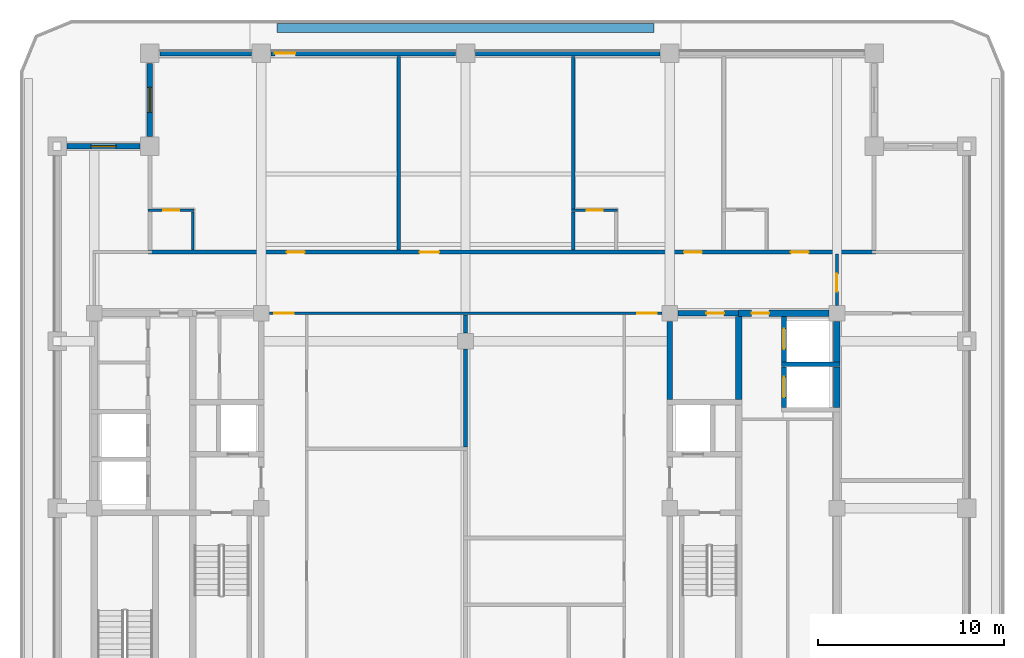
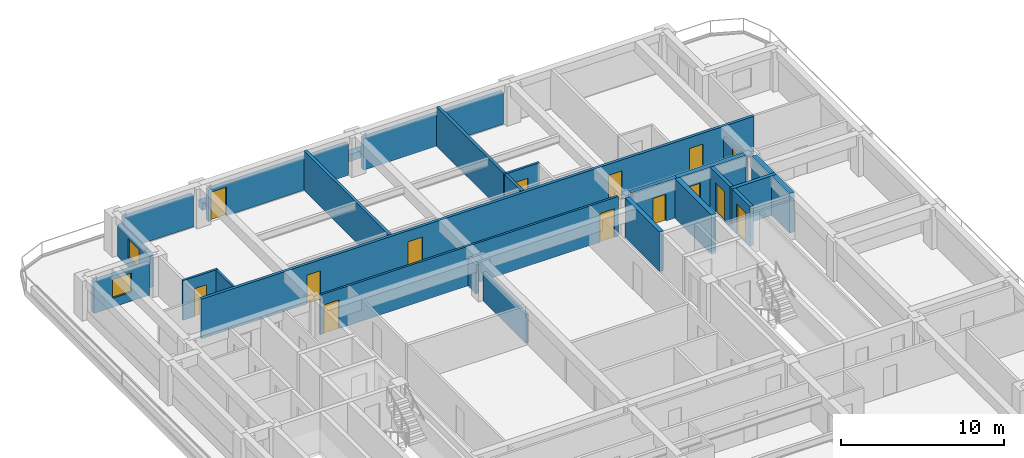
# One storey, part 5 of 13: 26 walls, 14 doors, 2 windows, 16 openings.
"""IFC4 building model written with IfcOpenShell, lengths in metres."""

from ifc_helpers import new_model, si_unit, direction, frame, frame_2d, origin, place, context, subcontext, project, spatial, rectangle, extrude, material, layer, layer_set, type_object, element, fill, save


model = new_model("IFC4")

# Units and contexts
model_context = context("Model", 3, precision=1e-05, world=origin(), true_north=direction((0.0, 1.0)))
body_context = subcontext(model_context, "Body", "Model", "MODEL_VIEW")
ifc_project = project(units=[si_unit("LENGTHUNIT", "METRE"), si_unit("AREAUNIT", "SQUARE_METRE"), si_unit("VOLUMEUNIT", "CUBIC_METRE"), si_unit("PLANEANGLEUNIT", "RADIAN"), si_unit("MASSUNIT", "GRAM", prefix="KILO")], contexts=[model_context])

# Site, building, storey
site_placement = place(None, origin())
site = spatial("IfcSite", under=ifc_project, at=site_placement, CompositionType="ELEMENT")
building_placement = place(site_placement, origin())
building = spatial("IfcBuilding", under=site, at=building_placement, Name="Zulmaris Gate Convention Tower", CompositionType="ELEMENT")
storey_placement = place(building_placement, frame((0.0, 0.0, 183.059814453125)))
storey = spatial("IfcBuildingStorey", under=building, at=storey_placement, Name="L47", CompositionType="ELEMENT", Elevation=183.059814453125)

# Wall
ifc_material_1 = material(Name="Concrete C50/60", Category="concrete")
ifc_layer_1 = layer(ifc_material_1, 0.25, Name="Concrete C50/60")
ifc_layer_set_1 = layer_set([ifc_layer_1], Name="Concrete C50/60")
wall_type_1 = type_object("IfcWallType", Name="CORE-250", PredefinedType="SOLIDWALL", material=ifc_layer_set_1)
wall_1_placement = place(storey_placement, frame((17.02490234375, 7.75, 0.0), z_axis=(0.0, 0.0, 1.0), x_axis=(1.0, 0.0, 0.0)))
element("IfcWall", 1, at=wall_1_placement, inside=storey, type_object=wall_type_1, Name="WL-L47-014", PredefinedType="SOLIDWALL", context=body_context, shape_type="SweptSolid", body=[
    extrude(rectangle(XDim=3.150146484375, YDim=0.25, at=frame_2d((1.5751953125, 0.0))), origin(), (0.0, 0.0, 1.0), 2.97509765625),
])

# Wall, opening, door
wall_2_placement = place(storey_placement, frame((17.14990234375, 5.427001953125, 0.0), z_axis=(0.0, 0.0, 1.0), x_axis=(0.0, 1.0, 0.0)))
wall_2 = element("IfcWall", 2, at=wall_2_placement, inside=storey, type_object=wall_type_1, Name="WL-L47-069", PredefinedType="SOLIDWALL", context=body_context, shape_type="SweptSolid", body=[
    extrude(rectangle(XDim=2.196044921875, YDim=0.25, at=frame_2d((1.09814453125, 0.0))), origin(), (0.0, 0.0, 1.0), 2.97509765625),
])
opening_1_placement = place(wall_2_placement, frame((0.548095703125, 0.0, 0.0)))
opening_1 = element("IfcOpeningElement", 3, at=opening_1_placement, cuts=wall_2, Name="Opening D-06", PredefinedType="OPENING", context=body_context, shape_type="SweptSolid", body=[
    extrude(rectangle(XDim=1.10009765625, YDim=2.199951171875, at=frame_2d((0.550048828125, 1.10009765625))), frame((0.0, 0.135009765625, 0.0), z_axis=(0.0, -1.0, 0.0), x_axis=(1.0, 0.0, 0.0)), (0.0, 0.0, 1.0), 0.27001953125),
])
ifc_material_2 = material(Name="Brushed Stainless Steel", Category="steel")
door_type_1 = type_object("IfcDoorType", Name="LD-1100", OperationType="NOTDEFINED", PredefinedType="DOOR", material=ifc_material_2)
door_1_placement = place(opening_1_placement, origin())
door_1 = element("IfcDoor", 4, at=door_1_placement, inside=storey, type_object=door_type_1, Name="L47 Lift Landing Door HP-01 16", OperationType="SLIDING_TO_RIGHT", OverallHeight=2.199951171875, OverallWidth=1.10009765625, PredefinedType="DOOR", context=body_context, shape_type="SweptSolid", body=[
    extrude(rectangle(XDim=1.10009765625, YDim=2.199951171875, at=frame_2d((0.550048828125, 1.10009765625))), frame((0.0, 0.02490234375, 0.0), z_axis=(0.0, -1.0, 0.0), x_axis=(1.0, 0.0, 0.0)), (0.0, 0.0, 1.0), 0.050048828125),
])
fill(opening_1, door_1)

wall_3_placement = place(storey_placement, frame((17.14990234375, 7.876953125, 0.0), z_axis=(0.0, 0.0, 1.0), x_axis=(0.0, 1.0, 0.0)))
wall_3 = element("IfcWall", 5, at=wall_3_placement, inside=storey, type_object=wall_type_1, Name="WL-L47-070", PredefinedType="SOLIDWALL", context=body_context, shape_type="SweptSolid", body=[
    extrude(rectangle(XDim=2.446044921875, YDim=0.25, at=frame_2d((1.22314453125, 0.0))), origin(), (0.0, 0.0, 1.0), 2.97509765625),
])
opening_2_placement = place(wall_3_placement, frame((0.697998046875, 0.0, 0.0)))
opening_2 = element("IfcOpeningElement", 6, at=opening_2_placement, cuts=wall_3, Name="Opening D-06", PredefinedType="OPENING", context=body_context, shape_type="SweptSolid", body=[
    extrude(rectangle(XDim=1.10009765625, YDim=2.199951171875, at=frame_2d((0.550048828125, 1.10009765625))), frame((0.0, 0.135009765625, 0.0), z_axis=(0.0, -1.0, 0.0), x_axis=(1.0, 0.0, 0.0)), (0.0, 0.0, 1.0), 0.27001953125),
])
door_2_placement = place(opening_2_placement, origin())
door_2 = element("IfcDoor", 7, at=door_2_placement, inside=storey, type_object=door_type_1, Name="L47 Lift Landing Door HP-02 17", OperationType="SLIDING_TO_RIGHT", OverallHeight=2.199951171875, OverallWidth=1.10009765625, PredefinedType="DOOR", context=body_context, shape_type="SweptSolid", body=[
    extrude(rectangle(XDim=1.10009765625, YDim=2.199951171875, at=frame_2d((0.550048828125, 1.10009765625))), frame((0.0, 0.02490234375, 0.0), z_axis=(0.0, -1.0, 0.0), x_axis=(1.0, 0.0, 0.0)), (0.0, 0.0, 1.0), 0.050048828125),
])
fill(opening_2, door_2)

ifc_layer_2 = layer(ifc_material_1, 0.300048828125, Name="Concrete C50/60")
ifc_layer_set_2 = layer_set([ifc_layer_2], Name="Concrete C50/60")
wall_type_2 = type_object("IfcWallType", Name="CORE-300", PredefinedType="SHEAR", material=ifc_layer_set_2)
wall_4_placement = place(storey_placement, frame((11.428955078125, 10.5, 0.0), z_axis=(0.0, 0.0, 1.0), x_axis=(1.0, 0.0, 0.0)))
wall_4 = element("IfcWall", 8, at=wall_4_placement, inside=storey, type_object=wall_type_2, Name="WL-L47-017", PredefinedType="SHEAR", context=body_context, shape_type="SweptSolid", body=[
    extrude(rectangle(XDim=3.27099609375, YDim=0.300048828125, at=frame_2d((1.635498046875, 0.0))), origin(), (0.0, 0.0, 1.0), 2.97509765625),
])
opening_3_placement = place(wall_4_placement, frame((1.5458984375, 0.0, 0.0)))
opening_3 = element("IfcOpeningElement", 9, at=opening_3_placement, cuts=wall_4, Name="Opening D-25", PredefinedType="OPENING", context=body_context, shape_type="SweptSolid", body=[
    extrude(rectangle(XDim=0.949951171875, YDim=2.02001953125, at=frame_2d((0.47509765625, 1.010009765625))), frame((0.0, 0.16015625, 0.0), z_axis=(0.0, -1.0, 0.0), x_axis=(1.0, 0.0, 0.0)), (0.0, 0.0, 1.0), 0.320068359375),
])
ifc_material_3 = material(Name="Fire-Rated Steel", Category="steel")
door_type_2 = type_object("IfcDoorType", Name="DR-950-LOW-FD", OperationType="NOTDEFINED", PredefinedType="DOOR", material=ifc_material_3)
door_3_placement = place(opening_3_placement, origin())
door_3 = element("IfcDoor", 10, at=door_3_placement, inside=storey, type_object=door_type_2, Name="L47 Core Tea Pantry Door 09", OperationType="SINGLE_SWING_RIGHT", OverallHeight=2.02001953125, OverallWidth=0.949951171875, PredefinedType="DOOR", context=body_context, shape_type="SweptSolid", body=[
    extrude(rectangle(XDim=0.949951171875, YDim=2.02001953125, at=frame_2d((0.47509765625, 1.010009765625))), frame((0.0, 0.02490234375, 0.0), z_axis=(0.0, -1.0, 0.0), x_axis=(1.0, 0.0, 0.0)), (0.0, 0.0, 1.0), 0.050048828125),
])
fill(opening_3, door_3)

# Wall
wall_5_placement = place(storey_placement, frame((11.0, 5.85205078125, 0.0), z_axis=(0.0, 0.0, 1.0), x_axis=(0.0, 1.0, 0.0)))
element("IfcWall", 11, at=wall_5_placement, inside=storey, type_object=wall_type_2, Name="WL-L47-062", PredefinedType="SHEAR", context=body_context, shape_type="SweptSolid", body=[
    extrude(rectangle(XDim=4.218994140625, YDim=0.300048828125, at=frame_2d((2.109375, 0.0))), origin(), (0.0, 0.0, 1.0), 2.97509765625),
])

# Wall, opening, door
ifc_material_4 = material(Name="Concrete C55/67", Category="concrete")
ifc_layer_3 = layer(ifc_material_4, 0.35009765625, Name="Concrete C55/67")
ifc_layer_set_3 = layer_set([ifc_layer_3], Name="Concrete C55/67")
wall_type_3 = type_object("IfcWallType", Name="CORE-350", PredefinedType="SHEAR", material=ifc_layer_set_3)
wall_6_placement = place(storey_placement, frame((14.699951171875, 10.5, 0.0), z_axis=(0.0, 0.0, 1.0), x_axis=(1.0, 0.0, 0.0)))
wall_6 = element("IfcWall", 12, at=wall_6_placement, inside=storey, type_object=wall_type_3, Name="WL-L47-018", PredefinedType="SHEAR", context=body_context, shape_type="SweptSolid", body=[
    extrude(rectangle(XDim=4.87109375, YDim=0.35009765625, at=frame_2d((2.435546875, 0.0))), origin(), (0.0, 0.0, 1.0), 2.97509765625),
])
opening_4_placement = place(wall_6_placement, frame((0.699951171875, 0.0, 0.0)))
opening_4 = element("IfcOpeningElement", 13, at=opening_4_placement, cuts=wall_6, Name="Opening D-25", PredefinedType="OPENING", context=body_context, shape_type="SweptSolid", body=[
    extrude(rectangle(XDim=0.949951171875, YDim=2.02001953125, at=frame_2d((0.47509765625, 1.010009765625))), frame((0.0, 0.18505859375, 0.0), z_axis=(0.0, -1.0, 0.0), x_axis=(1.0, 0.0, 0.0)), (0.0, 0.0, 1.0), 0.3701171875),
])
door_4_placement = place(opening_4_placement, origin())
door_4 = element("IfcDoor", 14, at=door_4_placement, inside=storey, type_object=door_type_2, Name="L47 High-Rise East Lift Lobby Door 18", OperationType="SINGLE_SWING_LEFT", OverallHeight=2.02001953125, OverallWidth=0.949951171875, PredefinedType="DOOR", context=body_context, shape_type="SweptSolid", body=[
    extrude(rectangle(XDim=0.949951171875, YDim=2.02001953125, at=frame_2d((0.47509765625, 1.010009765625))), frame((0.0, 0.02490234375, 0.0), z_axis=(0.0, -1.0, 0.0), x_axis=(1.0, 0.0, 0.0)), (0.0, 0.0, 1.0), 0.050048828125),
])
fill(opening_4, door_4)

# Walls
wall_7_placement = place(storey_placement, frame((14.699951171875, 5.85205078125, 0.0), z_axis=(0.0, 0.0, 1.0), x_axis=(0.0, 1.0, 0.0)))
element("IfcWall", 15, at=wall_7_placement, inside=storey, type_object=wall_type_3, Name="WL-L47-068", PredefinedType="SHEAR", context=body_context, shape_type="SweptSolid", body=[
    extrude(rectangle(XDim=4.470947265625, YDim=0.35009765625, at=frame_2d((2.2353515625, 0.0))), origin(), (0.0, 0.0, 1.0), 2.97509765625),
])
wall_8_placement = place(storey_placement, frame((20.0, 5.427001953125, 0.0), z_axis=(0.0, 0.0, 1.0), x_axis=(0.0, 1.0, 0.0)))
element("IfcWall", 16, at=wall_8_placement, inside=storey, type_object=wall_type_3, Name="WL-L47-072", PredefinedType="SHEAR", context=body_context, shape_type="SweptSolid", body=[
    extrude(rectangle(XDim=2.196044921875, YDim=0.35009765625, at=frame_2d((1.09814453125, 0.0))), origin(), (0.0, 0.0, 1.0), 2.97509765625),
])
wall_9_placement = place(storey_placement, frame((20.0, 7.876953125, 0.0), z_axis=(0.0, 0.0, 1.0), x_axis=(0.0, 1.0, 0.0)))
element("IfcWall", 17, at=wall_9_placement, inside=storey, type_object=wall_type_3, Name="WL-L47-073", PredefinedType="SHEAR", context=body_context, shape_type="SweptSolid", body=[
    extrude(rectangle(XDim=2.194091796875, YDim=0.35009765625, at=frame_2d((1.09716796875, 0.0))), origin(), (0.0, 0.0, 1.0), 2.97509765625),
])

# Wall, openings, doors
ifc_material_5 = material(Name="Gypsum Metal Stud Partition")
ifc_layer_4 = layer(ifc_material_5, 0.14990234375, Name="Gypsum Metal Stud Partition")
ifc_layer_set_4 = layer_set([ifc_layer_4], Name="Gypsum Metal Stud Partition")
wall_type_4 = type_object("IfcWallType", Name="PART-150", PredefinedType="PARTITIONING", material=ifc_layer_set_4)
wall_10_placement = place(storey_placement, frame((-10.569091796875, 10.5, 0.0), z_axis=(0.0, 0.0, 1.0), x_axis=(1.0, 0.0, 0.0)))
wall_10 = element("IfcWall", 18, at=wall_10_placement, inside=storey, type_object=wall_type_4, Name="WL-L47-034", PredefinedType="PARTITIONING", context=body_context, shape_type="SweptSolid", body=[
    extrude(rectangle(XDim=21.13818359375, YDim=0.14990234375, at=frame_2d((10.569091796875, 0.0))), origin(), (0.0, 0.0, 1.0), 2.97509765625),
])
opening_5_placement = place(wall_10_placement, frame((0.263916015625, 0.0, 0.0)))
opening_5 = element("IfcOpeningElement", 19, at=opening_5_placement, cuts=wall_10, Name="Opening D-09", PredefinedType="OPENING", context=body_context, shape_type="SweptSolid", body=[
    extrude(rectangle(XDim=1.050048828125, YDim=2.14990234375, at=frame_2d((0.52490234375, 1.074951171875))), frame((0.0, 0.0849609375, 0.0), z_axis=(0.0, -1.0, 0.0), x_axis=(1.0, 0.0, 0.0)), (0.0, 0.0, 1.0), 0.169921875),
])
opening_6_placement = place(wall_10_placement, frame((19.823974609375, 0.0, 0.0)))
opening_6 = element("IfcOpeningElement", 20, at=opening_6_placement, cuts=wall_10, Name="Opening D-09", PredefinedType="OPENING", context=body_context, shape_type="SweptSolid", body=[
    extrude(rectangle(XDim=1.050048828125, YDim=2.14990234375, at=frame_2d((0.52490234375, 1.074951171875))), frame((0.0, 0.0849609375, 0.0), z_axis=(0.0, -1.0, 0.0), x_axis=(1.0, 0.0, 0.0)), (0.0, 0.0, 1.0), 0.169921875),
])
door_type_3 = type_object("IfcDoorType", Name="DR-1050-FD", OperationType="NOTDEFINED", PredefinedType="DOOR", material=ifc_material_3)
door_5_placement = place(opening_5_placement, origin())
door_5 = element("IfcDoor", 21, at=door_5_placement, inside=storey, type_object=door_type_3, Name="L47 NW Hotel Loop Door 21", OperationType="SINGLE_SWING_RIGHT", OverallHeight=2.14990234375, OverallWidth=1.050048828125, PredefinedType="DOOR", context=body_context, shape_type="SweptSolid", body=[
    extrude(rectangle(XDim=1.050048828125, YDim=2.14990234375, at=frame_2d((0.52490234375, 1.074951171875))), frame((0.0, 0.02490234375, 0.0), z_axis=(0.0, -1.0, 0.0), x_axis=(1.0, 0.0, 0.0)), (0.0, 0.0, 1.0), 0.050048828125),
])
fill(opening_5, door_5)
door_6_placement = place(opening_6_placement, origin())
door_6 = element("IfcDoor", 22, at=door_6_placement, inside=storey, type_object=door_type_3, Name="L47 NE Hotel Loop Door 23", OperationType="SINGLE_SWING_RIGHT", OverallHeight=2.14990234375, OverallWidth=1.050048828125, PredefinedType="DOOR", context=body_context, shape_type="SweptSolid", body=[
    extrude(rectangle(XDim=1.050048828125, YDim=2.14990234375, at=frame_2d((0.52490234375, 1.074951171875))), frame((0.0, 0.02490234375, 0.0), z_axis=(0.0, -1.0, 0.0), x_axis=(1.0, 0.0, 0.0)), (0.0, 0.0, 1.0), 0.050048828125),
])
fill(opening_6, door_6)

# Wall, opening, door
wall_11_placement = place(storey_placement, frame((-17.10009765625, 16.050048828125, 0.0), z_axis=(0.0, 0.0, 1.0), x_axis=(1.0, 0.0, 0.0)))
wall_11 = element("IfcWall", 23, at=wall_11_placement, inside=storey, type_object=wall_type_4, Name="WL-L47-039", PredefinedType="PARTITIONING", context=body_context, shape_type="SweptSolid", body=[
    extrude(rectangle(XDim=2.47509765625, YDim=0.14990234375, at=frame_2d((1.237548828125, 0.0))), origin(), (0.0, 0.0, 1.0), 2.97509765625),
])
opening_7_placement = place(wall_11_placement, frame((0.824951171875, 0.0, 0.0)))
opening_7 = element("IfcOpeningElement", 24, at=opening_7_placement, cuts=wall_11, Name="Opening D-17", PredefinedType="OPENING", context=body_context, shape_type="SweptSolid", body=[
    extrude(rectangle(XDim=0.85009765625, YDim=2.10009765625, at=frame_2d((0.425048828125, 1.050048828125))), frame((0.0, 0.0849609375, 0.0), z_axis=(0.0, -1.0, 0.0), x_axis=(1.0, 0.0, 0.0)), (0.0, 0.0, 1.0), 0.169921875),
])
ifc_material_6 = material(Name="Moisture-Resistant Hardwood Timber", Category="wood")
door_type_4 = type_object("IfcDoorType", Name="DR-850", OperationType="NOTDEFINED", PredefinedType="DOOR", material=ifc_material_6)
door_7_placement = place(opening_7_placement, origin())
door_7 = element("IfcDoor", 25, at=door_7_placement, inside=storey, type_object=door_type_4, Name="L47 En-Suite Door 26", OperationType="SINGLE_SWING_LEFT", OverallHeight=2.10009765625, OverallWidth=0.85009765625, PredefinedType="DOOR", context=body_context, shape_type="SweptSolid", body=[
    extrude(rectangle(XDim=0.85009765625, YDim=2.10009765625, at=frame_2d((0.425048828125, 1.050048828125))), frame((0.0, 0.02490234375, 0.0), z_axis=(0.0, -1.0, 0.0), x_axis=(1.0, 0.0, 0.0)), (0.0, 0.0, 1.0), 0.050048828125),
])
fill(opening_7, door_7)

wall_12_placement = place(storey_placement, frame((5.699951171875, 16.050048828125, 0.0), z_axis=(0.0, 0.0, 1.0), x_axis=(1.0, 0.0, 0.0)))
wall_12 = element("IfcWall", 26, at=wall_12_placement, inside=storey, type_object=wall_type_4, Name="WL-L47-040", PredefinedType="PARTITIONING", context=body_context, shape_type="SweptSolid", body=[
    extrude(rectangle(XDim=2.47509765625, YDim=0.14990234375, at=frame_2d((1.237548828125, 0.0))), origin(), (0.0, 0.0, 1.0), 2.97509765625),
])
opening_8_placement = place(wall_12_placement, frame((0.824951171875, 0.0, 0.0)))
opening_8 = element("IfcOpeningElement", 27, at=opening_8_placement, cuts=wall_12, Name="Opening D-17", PredefinedType="OPENING", context=body_context, shape_type="SweptSolid", body=[
    extrude(rectangle(XDim=0.85009765625, YDim=2.10009765625, at=frame_2d((0.425048828125, 1.050048828125))), frame((0.0, 0.0849609375, 0.0), z_axis=(0.0, -1.0, 0.0), x_axis=(1.0, 0.0, 0.0)), (0.0, 0.0, 1.0), 0.169921875),
])
door_8_placement = place(opening_8_placement, origin())
door_8 = element("IfcDoor", 28, at=door_8_placement, inside=storey, type_object=door_type_4, Name="L47 En-Suite Door 29", OperationType="SINGLE_SWING_RIGHT", OverallHeight=2.10009765625, OverallWidth=0.85009765625, PredefinedType="DOOR", context=body_context, shape_type="SweptSolid", body=[
    extrude(rectangle(XDim=0.85009765625, YDim=2.10009765625, at=frame_2d((0.425048828125, 1.050048828125))), frame((0.0, 0.02490234375, 0.0), z_axis=(0.0, -1.0, 0.0), x_axis=(1.0, 0.0, 0.0)), (0.0, 0.0, 1.0), 0.050048828125),
])
fill(opening_8, door_8)

# Wall
wall_13_placement = place(storey_placement, frame((-14.699951171875, 13.903076171875, 0.0), z_axis=(0.0, 0.0, 1.0), x_axis=(0.0, 1.0, 0.0)))
element("IfcWall", 29, at=wall_13_placement, inside=storey, type_object=wall_type_4, Name="WL-L47-083", PredefinedType="PARTITIONING", context=body_context, shape_type="SweptSolid", body=[
    extrude(rectangle(XDim=2.06884765625, YDim=0.14990234375, at=frame_2d((1.034423828125, 0.0))), origin(), (0.0, 0.0, 1.0), 2.97509765625),
])

# Wall, opening, door
wall_14_placement = place(storey_placement, frame((20.0, 10.930908203125, 0.0), z_axis=(0.0, 0.0, 1.0), x_axis=(0.0, 1.0, 0.0)))
wall_14 = element("IfcWall", 30, at=wall_14_placement, inside=storey, type_object=wall_type_4, Name="WL-L47-113", PredefinedType="PARTITIONING", context=body_context, shape_type="SweptSolid", body=[
    extrude(rectangle(XDim=2.76611328125, YDim=0.14990234375, at=frame_2d((1.383056640625, 0.0))), origin(), (0.0, 0.0, 1.0), 2.167236328125),
])
opening_9_placement = place(wall_14_placement, frame((0.743896484375, 0.0, 0.0)))
opening_9 = element("IfcOpeningElement", 31, at=opening_9_placement, cuts=wall_14, Name="Opening D-25", PredefinedType="OPENING", context=body_context, shape_type="SweptSolid", body=[
    extrude(rectangle(XDim=0.949951171875, YDim=2.02001953125, at=frame_2d((0.47509765625, 1.010009765625))), frame((0.0, 0.0849609375, 0.0), z_axis=(0.0, -1.0, 0.0), x_axis=(1.0, 0.0, 0.0)), (0.0, 0.0, 1.0), 0.169921875),
])
door_9_placement = place(opening_9_placement, origin())
door_9 = element("IfcDoor", 32, at=door_9_placement, inside=storey, type_object=door_type_2, Name="L47 East Spur Door 46", OperationType="SINGLE_SWING_LEFT", OverallHeight=2.02001953125, OverallWidth=0.949951171875, PredefinedType="DOOR", context=body_context, shape_type="SweptSolid", body=[
    extrude(rectangle(XDim=0.949951171875, YDim=2.02001953125, at=frame_2d((0.47509765625, 1.010009765625))), frame((0.0, 0.02490234375, 0.0), z_axis=(0.0, -1.0, 0.0), x_axis=(1.0, 0.0, 0.0)), (0.0, 0.0, 1.0), 0.050048828125),
])
fill(opening_9, door_9)

# Wall, openings, doors
ifc_material_7 = material(Name="Autoclaved Aerated Concrete Block and Plasterboard", Category="concrete")
ifc_layer_5 = layer(ifc_material_7, 0.199951171875, Name="Autoclaved Aerated Concrete Block and Plasterboard")
ifc_layer_set_5 = layer_set([ifc_layer_5], Name="Autoclaved Aerated Concrete Block and Plasterboard")
wall_type_5 = type_object("IfcWallType", Name="PART-200", PredefinedType="PARTITIONING", material=ifc_layer_set_5)
wall_15_placement = place(storey_placement, frame((-17.10009765625, 13.800048828125, 0.0), z_axis=(0.0, 0.0, 1.0), x_axis=(1.0, 0.0, 0.0)))
wall_15 = element("IfcWall", 33, at=wall_15_placement, inside=storey, type_object=wall_type_5, Name="WL-L47-037", PredefinedType="PARTITIONING", context=body_context, shape_type="SweptSolid", body=[
    extrude(rectangle(XDim=39.2001953125, YDim=0.199951171875, at=frame_2d((19.60009765625, 0.0))), origin(), (0.0, 0.0, 1.0), 2.97509765625),
])
opening_10_placement = place(wall_15_placement, frame((7.47509765625, 0.0, 0.0)))
opening_10 = element("IfcOpeningElement", 34, at=opening_10_placement, cuts=wall_15, Name="Opening D-11", PredefinedType="OPENING", context=body_context, shape_type="SweptSolid", body=[
    extrude(rectangle(XDim=0.949951171875, YDim=2.14990234375, at=frame_2d((0.47509765625, 1.074951171875))), frame((0.0, 0.10986328125, 0.0), z_axis=(0.0, -1.0, 0.0), x_axis=(1.0, 0.0, 0.0)), (0.0, 0.0, 1.0), 0.219970703125),
])
opening_11_placement = place(wall_15_placement, frame((14.625, 0.0, 0.0)))
opening_11 = element("IfcOpeningElement", 35, at=opening_11_placement, cuts=wall_15, Name="Opening D-09", PredefinedType="OPENING", context=body_context, shape_type="SweptSolid", body=[
    extrude(rectangle(XDim=1.050048828125, YDim=2.14990234375, at=frame_2d((0.52490234375, 1.074951171875))), frame((0.0, 0.10986328125, 0.0), z_axis=(0.0, -1.0, 0.0), x_axis=(1.0, 0.0, 0.0)), (0.0, 0.0, 1.0), 0.219970703125),
])
opening_12_placement = place(wall_15_placement, frame((28.875, 0.0, 0.0)))
opening_12 = element("IfcOpeningElement", 36, at=opening_12_placement, cuts=wall_15, Name="Opening D-11", PredefinedType="OPENING", context=body_context, shape_type="SweptSolid", body=[
    extrude(rectangle(XDim=0.949951171875, YDim=2.14990234375, at=frame_2d((0.47509765625, 1.074951171875))), frame((0.0, 0.10986328125, 0.0), z_axis=(0.0, -1.0, 0.0), x_axis=(1.0, 0.0, 0.0)), (0.0, 0.0, 1.0), 0.219970703125),
])
opening_13_placement = place(wall_15_placement, frame((34.625, 0.0, 0.0)))
opening_13 = element("IfcOpeningElement", 37, at=opening_13_placement, cuts=wall_15, Name="Opening D-11", PredefinedType="OPENING", context=body_context, shape_type="SweptSolid", body=[
    extrude(rectangle(XDim=0.949951171875, YDim=2.14990234375, at=frame_2d((0.47509765625, 1.074951171875))), frame((0.0, 0.10986328125, 0.0), z_axis=(0.0, -1.0, 0.0), x_axis=(1.0, 0.0, 0.0)), (0.0, 0.0, 1.0), 0.219970703125),
])
door_10_placement = place(opening_11_placement, origin())
door_10 = element("IfcDoor", 38, at=door_10_placement, inside=storey, type_object=door_type_3, Name="L47 Hotel Sky Conservatory Lounge Door 27", OperationType="SINGLE_SWING_RIGHT", OverallHeight=2.14990234375, OverallWidth=1.050048828125, PredefinedType="DOOR", context=body_context, shape_type="SweptSolid", body=[
    extrude(rectangle(XDim=1.050048828125, YDim=2.14990234375, at=frame_2d((0.52490234375, 1.074951171875))), frame((0.0, 0.02490234375, 0.0), z_axis=(0.0, -1.0, 0.0), x_axis=(1.0, 0.0, 0.0)), (0.0, 0.0, 1.0), 0.050048828125),
])
fill(opening_11, door_10)
ifc_material_8 = material(Name="Fire-Rated Timber", Category="wood")
door_type_5 = type_object("IfcDoorType", Name="DR-950-FD", OperationType="NOTDEFINED", PredefinedType="DOOR", material=ifc_material_8)
door_11_placement = place(opening_10_placement, origin())
door_11 = element("IfcDoor", 39, at=door_11_placement, inside=storey, type_object=door_type_5, Name="L47 Hotel Diplomatic Suite Door 25", OperationType="SINGLE_SWING_RIGHT", OverallHeight=2.14990234375, OverallWidth=0.949951171875, PredefinedType="DOOR", context=body_context, shape_type="SweptSolid", body=[
    extrude(rectangle(XDim=0.949951171875, YDim=2.14990234375, at=frame_2d((0.47509765625, 1.074951171875))), frame((0.0, 0.02490234375, 0.0), z_axis=(0.0, -1.0, 0.0), x_axis=(1.0, 0.0, 0.0)), (0.0, 0.0, 1.0), 0.050048828125),
])
fill(opening_10, door_11)
door_12_placement = place(opening_12_placement, origin())
door_12 = element("IfcDoor", 40, at=door_12_placement, inside=storey, type_object=door_type_5, Name="L47 Hotel Diplomatic Suite Door 28", OperationType="SINGLE_SWING_LEFT", OverallHeight=2.14990234375, OverallWidth=0.949951171875, PredefinedType="DOOR", context=body_context, shape_type="SweptSolid", body=[
    extrude(rectangle(XDim=0.949951171875, YDim=2.14990234375, at=frame_2d((0.47509765625, 1.074951171875))), frame((0.0, 0.02490234375, 0.0), z_axis=(0.0, -1.0, 0.0), x_axis=(1.0, 0.0, 0.0)), (0.0, 0.0, 1.0), 0.050048828125),
])
fill(opening_12, door_12)
door_13_placement = place(opening_13_placement, origin())
door_13 = element("IfcDoor", 41, at=door_13_placement, inside=storey, type_object=door_type_5, Name="L47 Hotel Diplomatic Suite Door 30", OperationType="SINGLE_SWING_LEFT", OverallHeight=2.14990234375, OverallWidth=0.949951171875, PredefinedType="DOOR", context=body_context, shape_type="SweptSolid", body=[
    extrude(rectangle(XDim=0.949951171875, YDim=2.14990234375, at=frame_2d((0.47509765625, 1.074951171875))), frame((0.0, 0.02490234375, 0.0), z_axis=(0.0, -1.0, 0.0), x_axis=(1.0, 0.0, 0.0)), (0.0, 0.0, 1.0), 0.050048828125),
])
fill(opening_13, door_13)

# Walls
wall_16_placement = place(storey_placement, frame((-3.60009765625, 13.903076171875, 0.0), z_axis=(0.0, 0.0, 1.0), x_axis=(0.0, 1.0, 0.0)))
element("IfcWall", 42, at=wall_16_placement, inside=storey, type_object=wall_type_5, Name="WL-L47-090", PredefinedType="PARTITIONING", context=body_context, shape_type="SweptSolid", body=[
    extrude(rectangle(XDim=10.431884765625, YDim=0.199951171875, at=frame_2d((5.2158203125, 0.0))), origin(), (0.0, 0.0, 1.0), 2.97509765625),
])
wall_17_placement = place(storey_placement, frame((0.0, 3.302978515625, 0.0), z_axis=(0.0, 0.0, 1.0), x_axis=(0.0, 1.0, 0.0)))
element("IfcWall", 43, at=wall_17_placement, inside=storey, type_object=wall_type_5, Name="WL-L47-096", PredefinedType="PARTITIONING", context=body_context, shape_type="SweptSolid", body=[
    extrude(rectangle(XDim=5.26611328125, YDim=0.199951171875, at=frame_2d((2.633056640625, 0.0))), origin(), (0.0, 0.0, 1.0), 2.167236328125),
])
wall_18_placement = place(storey_placement, frame((0.0, 9.430908203125, 0.0), z_axis=(0.0, 0.0, 1.0), x_axis=(0.0, 1.0, 0.0)))
element("IfcWall", 44, at=wall_18_placement, inside=storey, type_object=wall_type_5, Name="WL-L47-096S1", PredefinedType="PARTITIONING", context=body_context, shape_type="SweptSolid", body=[
    extrude(rectangle(XDim=0.9912109375, YDim=0.199951171875, at=frame_2d((0.49560546875, 0.0))), origin(), (0.0, 0.0, 1.0), 2.167236328125),
])
wall_19_placement = place(storey_placement, frame((5.800048828125, 13.903076171875, 0.0), z_axis=(0.0, 0.0, 1.0), x_axis=(0.0, 1.0, 0.0)))
element("IfcWall", 45, at=wall_19_placement, inside=storey, type_object=wall_type_5, Name="WL-L47-099", PredefinedType="PARTITIONING", context=body_context, shape_type="SweptSolid", body=[
    extrude(rectangle(XDim=2.06884765625, YDim=0.199951171875, at=frame_2d((1.034423828125, 0.0))), origin(), (0.0, 0.0, 1.0), 2.97509765625),
])
wall_20_placement = place(storey_placement, frame((5.800048828125, 16.1279296875, 0.0), z_axis=(0.0, 0.0, 1.0), x_axis=(0.0, 1.0, 0.0)))
element("IfcWall", 46, at=wall_20_placement, inside=storey, type_object=wall_type_5, Name="WL-L47-100", PredefinedType="PARTITIONING", context=body_context, shape_type="SweptSolid", body=[
    extrude(rectangle(XDim=8.20703125, YDim=0.199951171875, at=frame_2d((4.103515625, 0.0))), origin(), (0.0, 0.0, 1.0), 2.97509765625),
])
ifc_material_9 = material(Name="Botanical Green Glazed Precast Concrete C40/50", Category="concrete")
ifc_layer_6 = layer(ifc_material_9, 0.419921875, Name="Botanical Green Glazed Precast Concrete C40/50")
ifc_layer_set_6 = layer_set([ifc_layer_6], Name="Botanical Green Glazed Precast Concrete C40/50")
wall_type_6 = type_object("IfcWallType", Name="PLANTER-CURB-200", PredefinedType="PARAPET", material=ifc_layer_set_6)
wall_21_placement = place(storey_placement, frame((-10.14990234375, 25.8798828125, -0.0400390625), z_axis=(0.0, 0.0, 1.0), x_axis=(1.0, 0.0, 0.0)))
element("IfcWall", 47, at=wall_21_placement, inside=storey, type_object=wall_type_6, Name="L47 Full-Length Balcony Tree Planter Trough", PredefinedType="PARAPET", context=body_context, shape_type="SweptSolid", body=[
    extrude(rectangle(XDim=20.2998046875, YDim=0.47998046875, at=frame_2d((10.14990234375, 0.0))), origin(), (0.0, 0.0, 1.0), 0.52001953125),
])

# Wall, opening, window
ifc_material_10 = material(Name="Precast concrete C40/50", Category="concrete")
ifc_layer_7 = layer(ifc_material_10, 0.300048828125, Name="Precast concrete C40/50")
ifc_layer_set_7 = layer_set([ifc_layer_7], Name="Precast concrete C40/50")
wall_type_7 = type_object("IfcWallType", Name="PRECAST-PIER-300", PredefinedType="STANDARD", material=ifc_layer_set_7)
wall_22_placement = place(storey_placement, frame((-17.0, 23.969970703125, 0.0), z_axis=(0.0, 0.0, 1.0), x_axis=(0.0, -1.0, 0.0)))
wall_22 = element("IfcWall", 48, at=wall_22_placement, inside=storey, type_object=wall_type_7, Name="EW-L47-NOTCH-NW1_0", PredefinedType="STANDARD", context=body_context, shape_type="SweptSolid", body=[
    extrude(rectangle(XDim=3.93994140625, YDim=0.300048828125, at=frame_2d((1.969970703125, 0.0))), origin(), (0.0, 0.0, 1.0), 2.3671875),
])
opening_14_placement = place(wall_22_placement, frame((1.294921875, 0.0, 0.679931640625)))
opening_14 = element("IfcOpeningElement", 49, at=opening_14_placement, cuts=wall_22, Name="Opening W-10", PredefinedType="OPENING", context=body_context, shape_type="SweptSolid", body=[
    extrude(rectangle(XDim=1.35009765625, YDim=1.419921875, at=frame_2d((0.675048828125, 0.7099609375))), frame((0.0, 0.16015625, 0.0), z_axis=(0.0, -1.0, 0.0), x_axis=(1.0, 0.0, 0.0)), (0.0, 0.0, 1.0), 0.320068359375),
])
ifc_material_11 = material(Name="Low-E Laminated Double Glazing in Aluminium Frame", Category="aluminium")
window_type = type_object("IfcWindowType", Name="WIN-1350x2000", PartitioningType="SINGLE_PANEL", PredefinedType="WINDOW", material=ifc_material_11)
window_1_placement = place(opening_14_placement, origin())
window_1 = element("IfcWindow", 50, at=window_1_placement, inside=storey, type_object=window_type, Name="WN-EW-L47-NOTCH-NW1_0", OverallHeight=1.419921875, OverallWidth=1.35009765625, PartitioningType="SINGLE_PANEL", PredefinedType="WINDOW", context=body_context, shape_type="SweptSolid", body=[
    extrude(rectangle(XDim=1.35009765625, YDim=1.419921875, at=frame_2d((0.675048828125, 0.7099609375))), frame((0.0, 0.030029296875, 0.0), z_axis=(0.0, -1.0, 0.0), x_axis=(1.0, 0.0, 0.0)), (0.0, 0.0, 1.0), 0.06005859375),
])
fill(opening_14, window_1)

wall_23_placement = place(storey_placement, frame((-17.530029296875, 19.5, 0.0), z_axis=(0.0, 0.0, 1.0), x_axis=(-1.0, 0.0, 0.0)))
wall_23 = element("IfcWall", 51, at=wall_23_placement, inside=storey, type_object=wall_type_7, Name="EW-L47-NOTCH-NW2_0", PredefinedType="STANDARD", context=body_context, shape_type="SweptSolid", body=[
    extrude(rectangle(XDim=3.93994140625, YDim=0.300048828125, at=frame_2d((1.969970703125, 0.0))), origin(), (0.0, 0.0, 1.0), 2.3671875),
])
opening_15_placement = place(wall_23_placement, frame((1.294921875, 0.0, 0.679931640625)))
opening_15 = element("IfcOpeningElement", 52, at=opening_15_placement, cuts=wall_23, Name="Opening W-10", PredefinedType="OPENING", context=body_context, shape_type="SweptSolid", body=[
    extrude(rectangle(XDim=1.35009765625, YDim=1.419921875, at=frame_2d((0.675048828125, 0.7099609375))), frame((0.0, 0.16015625, 0.0), z_axis=(0.0, -1.0, 0.0), x_axis=(1.0, 0.0, 0.0)), (0.0, 0.0, 1.0), 0.320068359375),
])
window_2_placement = place(opening_15_placement, origin())
window_2 = element("IfcWindow", 53, at=window_2_placement, inside=storey, type_object=window_type, Name="WN-EW-L47-NOTCH-NW2_0", OverallHeight=1.419921875, OverallWidth=1.35009765625, PartitioningType="SINGLE_PANEL", PredefinedType="WINDOW", context=body_context, shape_type="SweptSolid", body=[
    extrude(rectangle(XDim=1.35009765625, YDim=1.419921875, at=frame_2d((0.675048828125, 0.7099609375))), frame((0.0, 0.030029296875, 0.0), z_axis=(0.0, -1.0, 0.0), x_axis=(1.0, 0.0, 0.0)), (0.0, 0.0, 1.0), 0.06005859375),
])
fill(opening_15, window_2)

# Wall
wall_24_placement = place(storey_placement, frame((-11.530029296875, 24.5, 0.0), z_axis=(0.0, 0.0, 1.0), x_axis=(-1.0, 0.0, 0.0)))
element("IfcWall", 54, at=wall_24_placement, inside=storey, type_object=wall_type_7, Name="EW-L47-N-0_0", PredefinedType="STANDARD", context=body_context, shape_type="SweptSolid", body=[
    extrude(rectangle(XDim=4.93994140625, YDim=0.300048828125, at=frame_2d((2.469970703125, 0.0))), origin(), (0.0, 0.0, 1.0), 2.3671875),
])

# Wall, opening, door
wall_25_placement = place(storey_placement, frame((-0.530029296875, 24.5, 0.0), z_axis=(0.0, 0.0, 1.0), x_axis=(-1.0, 0.0, 0.0)))
wall_25 = element("IfcWall", 55, at=wall_25_placement, inside=storey, type_object=wall_type_7, Name="EW-L47-N-1_0", PredefinedType="STANDARD", context=body_context, shape_type="SweptSolid", body=[
    extrude(rectangle(XDim=9.93994140625, YDim=0.300048828125, at=frame_2d((4.969970703125, 0.0))), origin(), (0.0, 0.0, 1.0), 2.3671875),
])
opening_16_placement = place(wall_25_placement, frame((8.639892578125, 0.0, 0.0)))
opening_16 = element("IfcOpeningElement", 56, at=opening_16_placement, cuts=wall_25, Name="Opening D-04", PredefinedType="OPENING", context=body_context, shape_type="SweptSolid", body=[
    extrude(rectangle(XDim=1.10009765625, YDim=2.14990234375, at=frame_2d((0.550048828125, 1.074951171875))), frame((0.0, 0.16015625, 0.0), z_axis=(0.0, -1.0, 0.0), x_axis=(1.0, 0.0, 0.0)), (0.0, 0.0, 1.0), 0.320068359375),
])
ifc_material_12 = material(Name="Anodised Aluminium and Laminated Glass", Category="aluminium")
door_type_6 = type_object("IfcDoorType", Name="ED-1100", OperationType="SINGLE_SWING_RIGHT", PredefinedType="DOOR", material=ifc_material_12)
door_14_placement = place(opening_16_placement, origin())
door_14 = element("IfcDoor", 57, at=door_14_placement, inside=storey, type_object=door_type_6, Name="L47 N Planted Terrace Door", OperationType="SINGLE_SWING_LEFT", OverallHeight=2.14990234375, OverallWidth=1.10009765625, PredefinedType="DOOR", context=body_context, shape_type="SweptSolid", body=[
    extrude(rectangle(XDim=1.10009765625, YDim=2.14990234375, at=frame_2d((0.550048828125, 1.074951171875))), frame((0.0, 0.02490234375, 0.0), z_axis=(0.0, -1.0, 0.0), x_axis=(1.0, 0.0, 0.0)), (0.0, 0.0, 1.0), 0.050048828125),
])
fill(opening_16, door_14)

# Wall
wall_26_placement = place(storey_placement, frame((10.469970703125, 24.5, 0.0), z_axis=(0.0, 0.0, 1.0), x_axis=(-1.0, 0.0, 0.0)))
element("IfcWall", 58, at=wall_26_placement, inside=storey, type_object=wall_type_7, Name="EW-L47-N-2_0", PredefinedType="STANDARD", context=body_context, shape_type="SweptSolid", body=[
    extrude(rectangle(XDim=9.93994140625, YDim=0.300048828125, at=frame_2d((4.969970703125, 0.0))), origin(), (0.0, 0.0, 1.0), 2.3671875),
])

save(model, "model.ifc")
